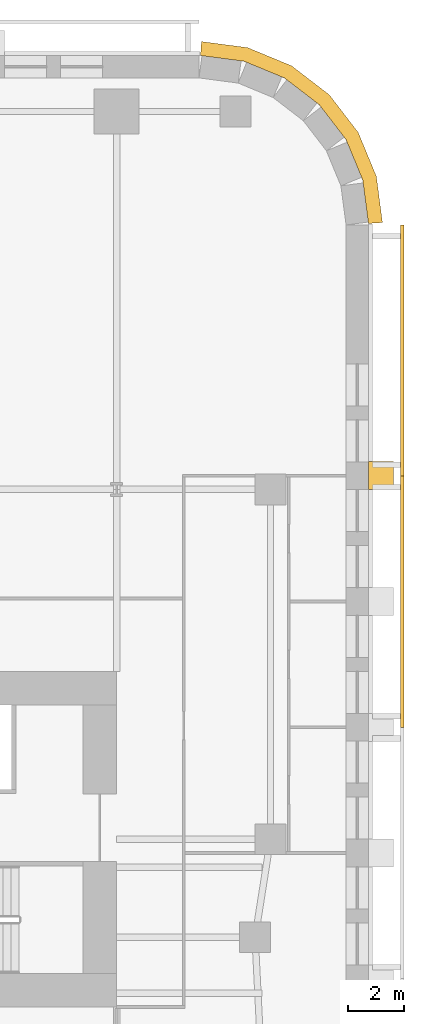
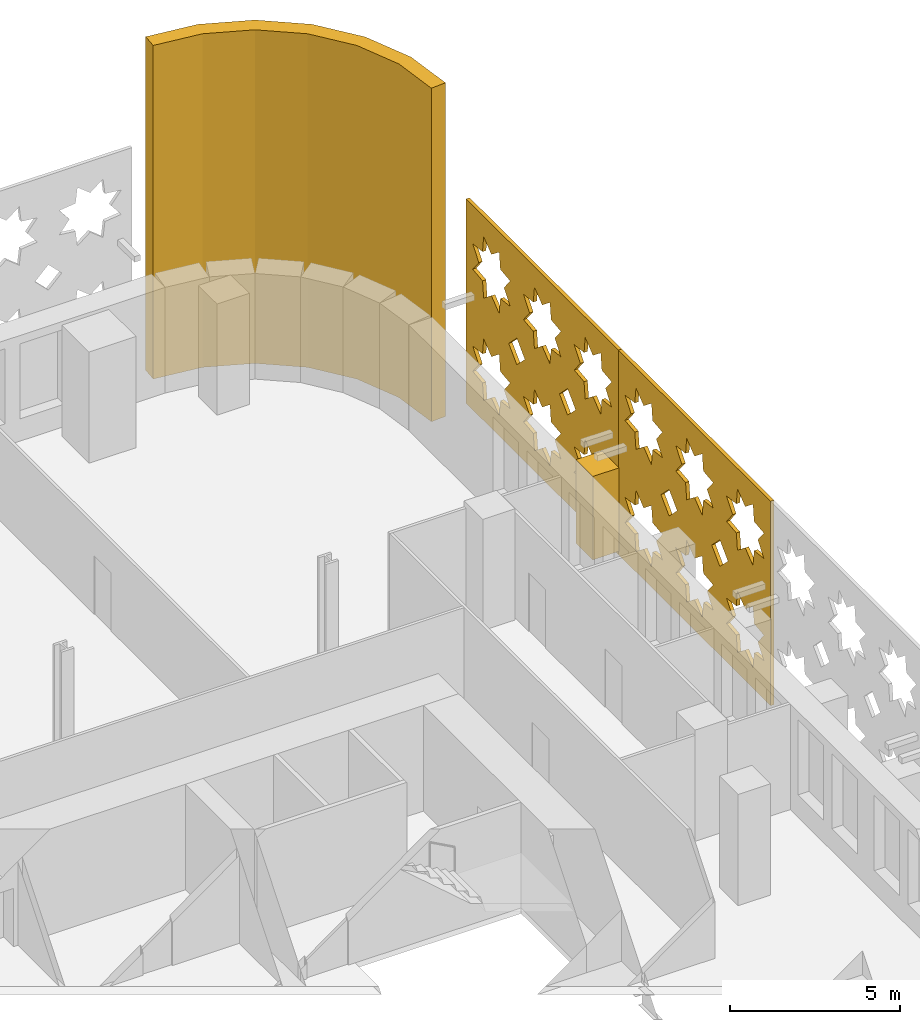
# One storey, part 13 of 13: 4 coverings.
"""IFC4 building model written with IfcOpenShell, lengths in metres."""

from ifc_helpers import new_model, si_unit, direction, frame, origin, place, context, subcontext, project, spatial, polyline, outline, extrude, material, layer, layer_set, type_object, element, save


model = new_model("IFC4")

# Units and contexts
model_context = context("Model", 3, precision=1e-05, world=origin(), true_north=direction((0.0, 1.0)))
body_context = subcontext(model_context, "Body", "Model", "MODEL_VIEW")
ifc_project = project(units=[si_unit("LENGTHUNIT", "METRE"), si_unit("AREAUNIT", "SQUARE_METRE"), si_unit("VOLUMEUNIT", "CUBIC_METRE"), si_unit("PLANEANGLEUNIT", "RADIAN"), si_unit("MASSUNIT", "GRAM", prefix="KILO")], contexts=[model_context])

# Site, building, storey
site_placement = place(None, origin())
site = spatial("IfcSite", under=ifc_project, at=site_placement, CompositionType="ELEMENT")
building_placement = place(site_placement, origin())
building = spatial("IfcBuilding", under=site, at=building_placement, Name="Zellij Exchange Tower", CompositionType="ELEMENT")
storey_placement = place(building_placement, frame((0.0, 0.0, 52.5)))
storey = spatial("IfcBuildingStorey", under=building, at=storey_placement, Name="L09", CompositionType="ELEMENT", Elevation=52.5)

# Coverings
ifc_material_1 = material(Name="Limestone cladding", Category="masonry")
ifc_layer_1 = layer(ifc_material_1, 0.5)
ifc_layer_set_1 = layer_set([ifc_layer_1], Name="Limestone cladding")
covering_type_1 = type_object("IfcCoveringType", Name="ENV-CV12 Stone corner pier 500", PredefinedType="CLADDING", material=ifc_layer_set_1)
covering_1_placement = place(storey_placement, origin())
element("IfcCovering", 1, at=covering_1_placement, inside=storey, type_object=covering_type_1, Name="Stone corner pier", PredefinedType="CLADDING", context=body_context, shape_type="SweptSolid", body=[
    extrude(outline(polyline([(36.0, 14.0), (35.795654296875, 15.552978515625), (35.1962890625, 17.0), (34.24267578125, 18.24267578125), (33.0, 19.1962890625), (31.552978515625, 19.795654296875), (30.0, 20.0), (30.03271484375, 20.5), (31.683349609375, 20.28271484375), (33.252197265625, 19.6328125), (34.59912109375, 18.59912109375), (35.6328125, 17.252197265625), (36.28271484375, 15.683349609375), (36.5, 14.03271484375), (36.0, 14.0)])), origin(), (0.0, 0.0, 1.0), 12.0),
])
covering_type_2 = type_object("IfcCoveringType", Name="ENV-CV2 Stone pier 1000x900", PredefinedType="CLADDING", material=ifc_material_1)
covering_2_placement = place(storey_placement, frame((0.0, 0.0, 0.800048828125)))
element("IfcCovering", 2, at=covering_2_placement, inside=storey, type_object=covering_type_2, Name="Stone pier", PredefinedType="CLADDING", context=body_context, shape_type="SweptSolid", body=[
    extrude(outline(polyline([(36.0, 4.48681640625), (36.0, 5.48681640625), (36.89990234375, 5.48681640625), (36.89990234375, 4.48681640625), (36.0, 4.48681640625)])), origin(), (0.0, 0.0, 1.0), 3.0),
])
ifc_material_2 = material(Name="Limestone screen", Category="masonry")
ifc_layer_2 = layer(ifc_material_2, 0.1201171875)
ifc_layer_set_2 = layer_set([ifc_layer_2], Name="Limestone screen")
covering_type_3 = type_object("IfcCoveringType", Name="ENV-SC1 Pierced stone screen 120", PredefinedType="USERDEFINED", material=ifc_layer_set_2)
covering_3_placement = place(storey_placement, frame((37.2099609375, -4.0, 0.300048828125), z_axis=(0.0, 0.0, 1.0), x_axis=(0.0, 1.0, 0.0)))
element("IfcCovering", 3, at=covering_3_placement, inside=storey, type_object=covering_type_3, Name="Pierced stone screen", ObjectType="SCREEN", PredefinedType="USERDEFINED", context=body_context, shape_type="SweptSolid", body=[
    extrude(outline(polyline([(0.0, 0.0), (8.973876953125, 0.0), (8.973876953125, 7.35009765625), (0.0, 7.35009765625), (0.0, 0.0)]), holes=[polyline([(2.60107421875, 2.29541015625), (2.020263671875, 2.362060546875), (1.95361328125, 2.94287109375), (1.49560546875, 2.579345703125), (1.03759765625, 2.94287109375), (0.97119140625, 2.362060546875), (0.39013671875, 2.29541015625), (0.75390625, 1.83740234375), (0.39013671875, 1.379638671875), (0.97119140625, 1.31298828125), (1.03759765625, 0.732177734375), (1.49560546875, 1.095703125), (1.95361328125, 0.732177734375), (2.020263671875, 1.31298828125), (2.60107421875, 1.379638671875), (2.237548828125, 1.83740234375), (2.60107421875, 2.29541015625)]), polyline([(2.60107421875, 5.970458984375), (2.020263671875, 6.037109375), (1.95361328125, 6.617919921875), (1.49560546875, 6.25439453125), (1.03759765625, 6.617919921875), (0.97119140625, 6.037109375), (0.39013671875, 5.970458984375), (0.75390625, 5.512451171875), (0.39013671875, 5.0546875), (0.97119140625, 4.98779296875), (1.03759765625, 4.406982421875), (1.49560546875, 4.770751953125), (1.95361328125, 4.406982421875), (2.020263671875, 4.98779296875), (2.60107421875, 5.0546875), (2.237548828125, 5.512451171875), (2.60107421875, 5.970458984375)]), polyline([(5.59228515625, 2.29541015625), (5.011474609375, 2.362060546875), (4.94482421875, 2.94287109375), (4.48681640625, 2.579345703125), (4.029052734375, 2.94287109375), (3.96240234375, 2.362060546875), (3.381591796875, 2.29541015625), (3.7451171875, 1.83740234375), (3.381591796875, 1.379638671875), (3.96240234375, 1.31298828125), (4.029052734375, 0.732177734375), (4.48681640625, 1.095703125), (4.94482421875, 0.732177734375), (5.011474609375, 1.31298828125), (5.59228515625, 1.379638671875), (5.228759765625, 1.83740234375), (5.59228515625, 2.29541015625)]), polyline([(5.59228515625, 5.970458984375), (5.011474609375, 6.037109375), (4.94482421875, 6.617919921875), (4.48681640625, 6.25439453125), (4.029052734375, 6.617919921875), (3.96240234375, 6.037109375), (3.381591796875, 5.970458984375), (3.7451171875, 5.512451171875), (3.381591796875, 5.0546875), (3.96240234375, 4.98779296875), (4.029052734375, 4.406982421875), (4.48681640625, 4.770751953125), (4.94482421875, 4.406982421875), (5.011474609375, 4.98779296875), (5.59228515625, 5.0546875), (5.228759765625, 5.512451171875), (5.59228515625, 5.970458984375)]), polyline([(8.58349609375, 2.29541015625), (8.002685546875, 2.362060546875), (7.93603515625, 2.94287109375), (7.478271484375, 2.579345703125), (7.020263671875, 2.94287109375), (6.95361328125, 2.362060546875), (6.372802734375, 2.29541015625), (6.736328125, 1.83740234375), (6.372802734375, 1.379638671875), (6.95361328125, 1.31298828125), (7.020263671875, 0.732177734375), (7.478271484375, 1.095703125), (7.93603515625, 0.732177734375), (8.002685546875, 1.31298828125), (8.58349609375, 1.379638671875), (8.219970703125, 1.83740234375), (8.58349609375, 2.29541015625)]), polyline([(8.58349609375, 5.970458984375), (8.002685546875, 6.037109375), (7.93603515625, 6.617919921875), (7.478271484375, 6.25439453125), (7.020263671875, 6.617919921875), (6.95361328125, 6.037109375), (6.372802734375, 5.970458984375), (6.736328125, 5.512451171875), (6.372802734375, 5.0546875), (6.95361328125, 4.98779296875), (7.020263671875, 4.406982421875), (7.478271484375, 4.770751953125), (7.93603515625, 4.406982421875), (8.002685546875, 4.98779296875), (8.58349609375, 5.0546875), (8.219970703125, 5.512451171875), (8.58349609375, 5.970458984375)]), polyline([(3.469970703125, 3.675048828125), (2.9912109375, 4.153564453125), (2.5126953125, 3.675048828125), (2.9912109375, 3.1962890625), (3.469970703125, 3.675048828125)]), polyline([(6.461181640625, 3.675048828125), (5.982421875, 4.153564453125), (5.50390625, 3.675048828125), (5.982421875, 3.1962890625), (6.461181640625, 3.675048828125)])]), frame((0.0, 0.06005859375, 0.0), z_axis=(0.0, -1.0, 0.0), x_axis=(1.0, 0.0, 0.0)), (0.0, 0.0, 1.0), 0.1201171875),
])
covering_4_placement = place(storey_placement, frame((37.2099609375, 4.973876953125, 0.300048828125), z_axis=(0.0, 0.0, 1.0), x_axis=(0.0, 1.0, 0.0)))
element("IfcCovering", 4, at=covering_4_placement, inside=storey, type_object=covering_type_3, Name="Pierced stone screen", ObjectType="SCREEN", PredefinedType="USERDEFINED", context=body_context, shape_type="SweptSolid", body=[
    extrude(outline(polyline([(0.0, 0.0), (8.973876953125, 0.0), (8.973876953125, 7.35009765625), (0.0, 7.35009765625), (0.0, 0.0)]), holes=[polyline([(2.60107421875, 2.29541015625), (2.020263671875, 2.362060546875), (1.95361328125, 2.94287109375), (1.49560546875, 2.579345703125), (1.03759765625, 2.94287109375), (0.97119140625, 2.362060546875), (0.39013671875, 2.29541015625), (0.75390625, 1.83740234375), (0.39013671875, 1.379638671875), (0.97119140625, 1.31298828125), (1.03759765625, 0.732177734375), (1.49560546875, 1.095703125), (1.95361328125, 0.732177734375), (2.020263671875, 1.31298828125), (2.60107421875, 1.379638671875), (2.237548828125, 1.83740234375), (2.60107421875, 2.29541015625)]), polyline([(2.60107421875, 5.970458984375), (2.020263671875, 6.037109375), (1.95361328125, 6.617919921875), (1.49560546875, 6.25439453125), (1.03759765625, 6.617919921875), (0.97119140625, 6.037109375), (0.39013671875, 5.970458984375), (0.75390625, 5.512451171875), (0.39013671875, 5.0546875), (0.97119140625, 4.98779296875), (1.03759765625, 4.406982421875), (1.49560546875, 4.770751953125), (1.95361328125, 4.406982421875), (2.020263671875, 4.98779296875), (2.60107421875, 5.0546875), (2.237548828125, 5.512451171875), (2.60107421875, 5.970458984375)]), polyline([(5.59228515625, 2.29541015625), (5.011474609375, 2.362060546875), (4.94482421875, 2.94287109375), (4.48681640625, 2.579345703125), (4.029052734375, 2.94287109375), (3.96240234375, 2.362060546875), (3.381591796875, 2.29541015625), (3.7451171875, 1.83740234375), (3.381591796875, 1.379638671875), (3.96240234375, 1.31298828125), (4.029052734375, 0.732177734375), (4.48681640625, 1.095703125), (4.94482421875, 0.732177734375), (5.011474609375, 1.31298828125), (5.59228515625, 1.379638671875), (5.228759765625, 1.83740234375), (5.59228515625, 2.29541015625)]), polyline([(5.59228515625, 5.970458984375), (5.011474609375, 6.037109375), (4.94482421875, 6.617919921875), (4.48681640625, 6.25439453125), (4.029052734375, 6.617919921875), (3.96240234375, 6.037109375), (3.381591796875, 5.970458984375), (3.7451171875, 5.512451171875), (3.381591796875, 5.0546875), (3.96240234375, 4.98779296875), (4.029052734375, 4.406982421875), (4.48681640625, 4.770751953125), (4.94482421875, 4.406982421875), (5.011474609375, 4.98779296875), (5.59228515625, 5.0546875), (5.228759765625, 5.512451171875), (5.59228515625, 5.970458984375)]), polyline([(8.58349609375, 2.29541015625), (8.002685546875, 2.362060546875), (7.93603515625, 2.94287109375), (7.478271484375, 2.579345703125), (7.020263671875, 2.94287109375), (6.95361328125, 2.362060546875), (6.372802734375, 2.29541015625), (6.736328125, 1.83740234375), (6.372802734375, 1.379638671875), (6.95361328125, 1.31298828125), (7.020263671875, 0.732177734375), (7.478271484375, 1.095703125), (7.93603515625, 0.732177734375), (8.002685546875, 1.31298828125), (8.58349609375, 1.379638671875), (8.219970703125, 1.83740234375), (8.58349609375, 2.29541015625)]), polyline([(8.58349609375, 5.970458984375), (8.002685546875, 6.037109375), (7.93603515625, 6.617919921875), (7.478271484375, 6.25439453125), (7.020263671875, 6.617919921875), (6.95361328125, 6.037109375), (6.372802734375, 5.970458984375), (6.736328125, 5.512451171875), (6.372802734375, 5.0546875), (6.95361328125, 4.98779296875), (7.020263671875, 4.406982421875), (7.478271484375, 4.770751953125), (7.93603515625, 4.406982421875), (8.002685546875, 4.98779296875), (8.58349609375, 5.0546875), (8.219970703125, 5.512451171875), (8.58349609375, 5.970458984375)]), polyline([(3.469970703125, 3.675048828125), (2.9912109375, 4.153564453125), (2.5126953125, 3.675048828125), (2.9912109375, 3.1962890625), (3.469970703125, 3.675048828125)]), polyline([(6.461181640625, 3.675048828125), (5.982421875, 4.153564453125), (5.50390625, 3.675048828125), (5.982421875, 3.1962890625), (6.461181640625, 3.675048828125)])]), frame((0.0, 0.06005859375, 0.0), z_axis=(0.0, -1.0, 0.0), x_axis=(1.0, 0.0, 0.0)), (0.0, 0.0, 1.0), 0.1201171875),
])

save(model, "model.ifc")
